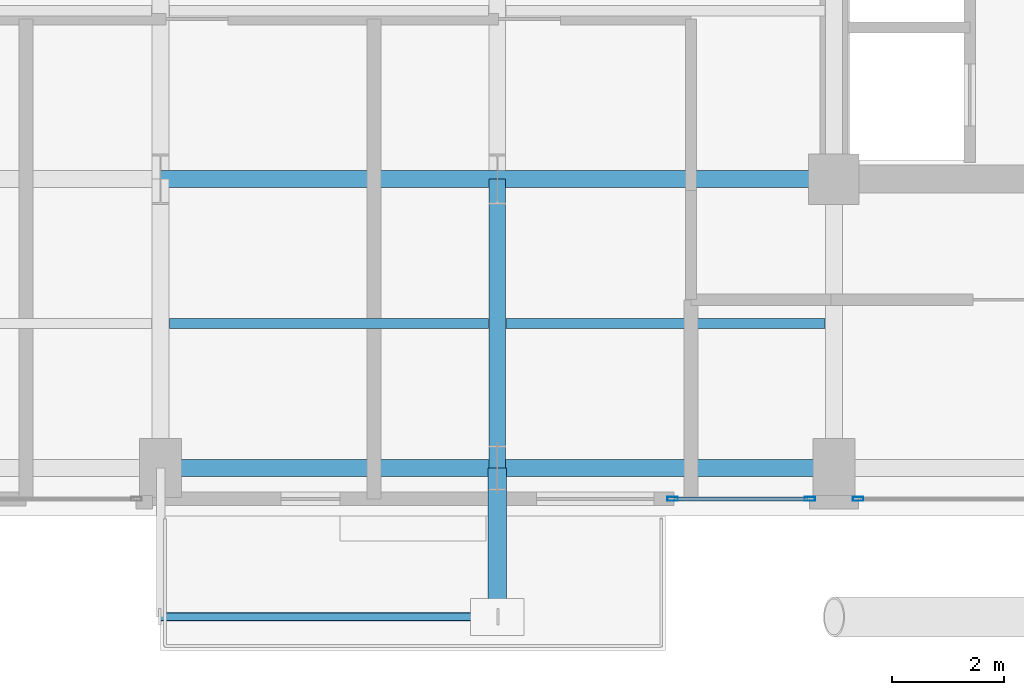
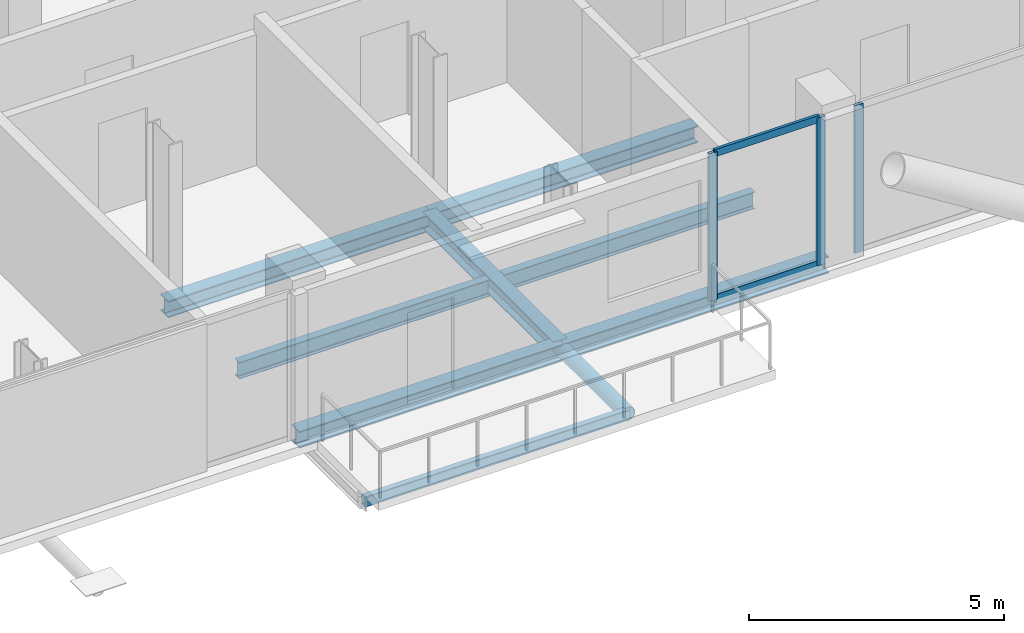
# One storey, part 4 of 21: 8 beams, 6 members, 2 elements without a shape of their own.
"""IFC4 building model written with IfcOpenShell, lengths in metres."""

from ifc_helpers import new_model, si_unit, direction, frame, origin, origin_2d, place, context, subcontext, project, spatial, hollow_rectangle, hollow_circle, i_section, extrude, material, layer, layer_set, material_profile, profile_set, type_object, element, aggregate, save


model = new_model("IFC4")

# Units and contexts
model_context = context("Model", 3, precision=1e-05, world=origin(), true_north=direction((0.0, 1.0)))
body_context = subcontext(model_context, "Body", "Model", "MODEL_VIEW")
ifc_project = project(units=[si_unit("LENGTHUNIT", "METRE"), si_unit("AREAUNIT", "SQUARE_METRE"), si_unit("VOLUMEUNIT", "CUBIC_METRE"), si_unit("PLANEANGLEUNIT", "RADIAN"), si_unit("MASSUNIT", "GRAM", prefix="KILO"), si_unit("THERMODYNAMICTEMPERATUREUNIT", "KELVIN"), si_unit("POWERUNIT", "WATT")], contexts=[model_context])

# Site, building, storey
site_placement = place(None, origin())
site = spatial("IfcSite", under=ifc_project, at=site_placement, CompositionType="ELEMENT")
building_placement = place(site_placement, origin())
building = spatial("IfcBuilding", under=site, at=building_placement, Name="Svarakhadi Broadcast Tower", CompositionType="ELEMENT")
storey_placement = place(building_placement, frame((0.0, 0.0, 187.949951171875)))
storey = spatial("IfcBuildingStorey", under=building, at=storey_placement, Name="L46", CompositionType="ELEMENT", Elevation=187.949951171875)

# Beams
ifc_material_1 = material(Name="Steel S355J2 (IS 2062 E350C)", Category="steel")
ifc_material_profile_1 = material_profile(ifc_material_1, i_section(OverallWidth=0.179931640625, OverallDepth=0.39990234375, WebThickness=0.008544921875, FlangeThickness=0.013427734375, FilletRadius=0.02099609375, at=origin_2d()), Name="NPB 400x180x66")
ifc_profile_set_1 = profile_set([ifc_material_profile_1], Name="Steel S355J2 (IS 2062 E350C)")
beam_type_1 = type_object("IfcBeamType", Name="Beam_NPB400", PredefinedType="BEAM", material=ifc_profile_set_1)
for number, where, z_axis, x_axis, name in (
    (1, (12.159912109375, 3.425048828125, -0.409912109375), (1.0, 0.0, 0.0), (0.0, 1.0, 0.0), "L46 Secondary Composite Beam SB009"),
    (2, (18.159912109375, 3.425048828125, -0.409912109375), (1.0, 0.0, 0.0), (0.0, 1.0, 0.0), "L46 Secondary Composite Beam SB013"),
):
    element("IfcBeam", number, at=place(storey_placement, frame(where, z_axis=z_axis, x_axis=x_axis)), inside=storey, type_object=beam_type_1, Name=name, PredefinedType="BEAM", context=body_context, shape_type="SweptSolid", body=[
        extrude(i_section(OverallWidth=0.179931640625, OverallDepth=0.39990234375, WebThickness=0.008544921875, FlangeThickness=0.013427734375, FilletRadius=0.02099609375, at=origin_2d()), origin(), (0.0, 0.0, 1.0), 5.68017578125),
    ])

# Curtain wall, member
ifc_material_2 = material(Name="Anodised Bronze Aluminium AA 6063-T6", Category="aluminium")
ifc_layer = layer(ifc_material_2, 0.18994140625)
ifc_layer_set = layer_set([ifc_layer], Name="Anodised Bronze Aluminium AA 6063-T6")
curtain_wall_type = type_object("IfcCurtainWallType", Name="CW_Sys_04", PredefinedType="NOTDEFINED", material=ifc_layer_set)
curtain_wall_1_placement = place(storey_placement, origin())
curtain_wall_1 = element("IfcCurtainWall", 3, at=curtain_wall_1_placement, inside=storey, type_object=curtain_wall_type, Name="L46 South Curtain Wall 15 Bay 3", PredefinedType="NOTDEFINED")
ifc_material_profile_2 = material_profile(ifc_material_2, hollow_rectangle(XDim=0.070068359375, YDim=0.18994140625, WallThickness=0.005615234375, at=origin_2d()), Name="ALU MULLION 190x70x6")
ifc_profile_set_2 = profile_set([ifc_material_profile_2], Name="Anodised Bronze Aluminium AA 6063-T6")
member_type_1 = type_object("IfcMemberType", Name="CW_Sys_04_Mul", PredefinedType="MULLION", material=ifc_profile_set_2)
member_1_placement = place(storey_placement, frame((24.429931640625, 0.300048828125, 0.0), z_axis=(0.0, 0.0, 1.0), x_axis=(0.0, -1.0, 0.0)))
member_1 = element("IfcMember", 4, at=member_1_placement, type_object=member_type_1, Name="CW-04 mullion 2", PredefinedType="MULLION", context=body_context, shape_type="SweptSolid", body=[
    extrude(hollow_rectangle(XDim=0.070068359375, YDim=0.18994140625, WallThickness=0.005615234375, at=origin_2d()), origin(), (0.0, 0.0, 1.0), 3.5400390625),
])
aggregate(curtain_wall_1, [member_1])

# Curtain wall, members
curtain_wall_2_placement = place(storey_placement, origin())
curtain_wall_2 = element("IfcCurtainWall", 5, at=curtain_wall_2_placement, inside=storey, type_object=curtain_wall_type, Name="L46 South Curtain Wall 15 Bay 4", PredefinedType="NOTDEFINED")
member_2_placement = place(storey_placement, frame((23.570068359375, 0.300048828125, 0.0), z_axis=(0.0, 0.0, 1.0), x_axis=(0.0, -1.0, 0.0)))
member_2 = element("IfcMember", 6, at=member_2_placement, type_object=member_type_1, Name="CW-04 mullion 1", PredefinedType="MULLION", context=body_context, shape_type="SweptSolid", body=[
    extrude(hollow_rectangle(XDim=0.070068359375, YDim=0.18994140625, WallThickness=0.005615234375, at=origin_2d()), origin(), (0.0, 0.0, 1.0), 3.5400390625),
])
member_3_placement = place(storey_placement, frame((21.125, 0.300048828125, 0.0), z_axis=(0.0, 0.0, 1.0), x_axis=(0.0, -1.0, 0.0)))
member_3 = element("IfcMember", 7, at=member_3_placement, type_object=member_type_1, Name="CW-04 mullion 2", PredefinedType="MULLION", context=body_context, shape_type="SweptSolid", body=[
    extrude(hollow_rectangle(XDim=0.070068359375, YDim=0.18994140625, WallThickness=0.005615234375, at=origin_2d()), origin(), (0.0, 0.0, 1.0), 3.5400390625),
])
ifc_material_profile_3 = material_profile(ifc_material_2, hollow_rectangle(XDim=0.06494140625, YDim=0.175048828125, WallThickness=0.0048828125, at=origin_2d()), Name="ALU TRANSOM 175x65x5")
ifc_profile_set_3 = profile_set([ifc_material_profile_3], Name="Anodised Bronze Aluminium AA 6063-T6")
member_type_2 = type_object("IfcMemberType", Name="CW_Sys_04_Trn", PredefinedType="USERDEFINED", material=ifc_profile_set_3)
member_4_placement = place(storey_placement, frame((23.534912109375, 0.300048828125, 0.032470703125), z_axis=(-1.0, 0.0, 0.0), x_axis=(0.0, -1.0, 0.0)))
member_4 = element("IfcMember", 8, at=member_4_placement, type_object=member_type_2, Name="CW-04 transom 1.1", ObjectType="TRANSOM", PredefinedType="USERDEFINED", context=body_context, shape_type="SweptSolid", body=[
    extrude(hollow_rectangle(XDim=0.06494140625, YDim=0.175048828125, WallThickness=0.0048828125, at=origin_2d()), origin(), (0.0, 0.0, 1.0), 2.375),
])
member_5_placement = place(storey_placement, frame((23.534912109375, 0.300048828125, 3.507568359375), z_axis=(-1.0, 0.0, 0.0), x_axis=(0.0, -1.0, 0.0)))
member_5 = element("IfcMember", 9, at=member_5_placement, type_object=member_type_2, Name="CW-04 transom 1.2", ObjectType="TRANSOM", PredefinedType="USERDEFINED", context=body_context, shape_type="SweptSolid", body=[
    extrude(hollow_rectangle(XDim=0.06494140625, YDim=0.175048828125, WallThickness=0.0048828125, at=origin_2d()), origin(), (0.0, 0.0, 1.0), 2.375),
])
aggregate(curtain_wall_2, [member_2, member_3, member_4, member_5])

# Member
ifc_material_3 = material(Name="Steel S460ML (IS 2062 E450BR)", Category="steel")
ifc_material_profile_4 = material_profile(ifc_material_3, hollow_circle(Radius=0.161865234375, WallThickness=0.01611328125, at=origin_2d()), Name="CHS 323.9x16")
ifc_profile_set_4 = profile_set([ifc_material_profile_4], Name="Steel S460ML (IS 2062 E450BR)")
member_type_3 = type_object("IfcMemberType", Name="Exo_Radial_Strut_Z2", PredefinedType="STRUT", material=ifc_profile_set_4)
member_6_placement = place(storey_placement, frame((18.0, -1.800048828125, -0.371826171875), z_axis=(0.0, 1.0, 0.0), x_axis=(-1.0, 0.0, 0.0)))
element("IfcMember", 10, at=member_6_placement, inside=storey, type_object=member_type_3, Name="L46 Exoskeleton Radial Tie Strut S02", PredefinedType="STRUT", context=body_context, shape_type="SweptSolid", body=[
    extrude(hollow_circle(Radius=0.161865234375, WallThickness=0.01611328125, at=origin_2d()), origin(), (0.0, 0.0, 1.0), 2.650146484375),
])

# Beams
ifc_material_profile_5 = material_profile(ifc_material_1, i_section(OverallWidth=0.300048828125, OverallDepth=0.39990234375, WebThickness=0.013427734375, FlangeThickness=0.02392578125, FilletRadius=0.027099609375, at=origin_2d()), Name="WPB 400x300x155")
ifc_profile_set_5 = profile_set([ifc_material_profile_5], Name="Steel S355J2 (IS 2062 E350C)")
beam_type_2 = type_object("IfcBeamType", Name="Girder_WPB400", PredefinedType="USERDEFINED", material=ifc_profile_set_5)
for number, where, z_axis, x_axis, name in (
    (11, (12.0, 0.85009765625, -0.409912109375), (1.0, 0.0, 0.0), (0.0, 1.0, 0.0), "L46 Primary E-W Girder G005"),
    (12, (18.0, 0.85009765625, -0.409912109375), (1.0, 0.0, 0.0), (0.0, 1.0, 0.0), "L46 Primary E-W Girder G006"),
    (13, (12.0, 6.0, -0.409912109375), (1.0, 0.0, 0.0), (0.0, 1.0, 0.0), "L46 Primary E-W Girder G011"),
    (14, (18.0, 6.0, -0.409912109375), (1.0, 0.0, 0.0), (0.0, 1.0, 0.0), "L46 Primary E-W Girder G012"),
):
    element("IfcBeam", number, at=place(storey_placement, frame(where, z_axis=z_axis, x_axis=x_axis)), inside=storey, type_object=beam_type_2, Name=name, ObjectType="GIRDER", PredefinedType="USERDEFINED", context=body_context, shape_type="SweptSolid", body=[
        extrude(i_section(OverallWidth=0.300048828125, OverallDepth=0.39990234375, WebThickness=0.013427734375, FlangeThickness=0.02392578125, FilletRadius=0.027099609375, at=origin_2d()), origin(), (0.0, 0.0, 1.0), 6.0),
    ])
beam_1_placement = place(storey_placement, frame((18.0, 0.85009765625, -0.409912109375), z_axis=(0.0, 1.0, 0.0), x_axis=(-1.0, 0.0, 0.0)))
element("IfcBeam", 15, at=beam_1_placement, inside=storey, type_object=beam_type_2, Name="L46 Primary N-S Girder G046", ObjectType="GIRDER", PredefinedType="USERDEFINED", context=body_context, shape_type="SweptSolid", body=[
    extrude(i_section(OverallWidth=0.300048828125, OverallDepth=0.39990234375, WebThickness=0.013427734375, FlangeThickness=0.02392578125, FilletRadius=0.027099609375, at=origin_2d()), origin(), (0.0, 0.0, 1.0), 5.14990234375),
])
ifc_material_profile_6 = material_profile(ifc_material_3, hollow_rectangle(XDim=0.14990234375, YDim=0.25, WallThickness=0.010009765625, InnerFilletRadius=0.010009765625, OuterFilletRadius=0.02001953125, at=origin_2d()), Name="RHS 250x150x10")
ifc_profile_set_6 = profile_set([ifc_material_profile_6], Name="Steel S460ML (IS 2062 E450BR)")
beam_type_3 = type_object("IfcBeamType", Name="Spandrel_RHS250", PredefinedType="SPANDREL", material=ifc_profile_set_6)
beam_2_placement = place(storey_placement, frame((12.0, -1.800048828125, -0.349853515625), z_axis=(1.0, 0.0, 0.0), x_axis=(0.0, 1.0, 0.0)))
element("IfcBeam", 16, at=beam_2_placement, inside=storey, type_object=beam_type_3, Name="L46 Balcony Outer Spandrel 1F", PredefinedType="SPANDREL", context=body_context, shape_type="SweptSolid", body=[
    extrude(hollow_rectangle(XDim=0.14990234375, YDim=0.25, WallThickness=0.010009765625, InnerFilletRadius=0.010009765625, OuterFilletRadius=0.02001953125, at=origin_2d()), origin(), (0.0, 0.0, 1.0), 6.0),
])

save(model, "model.ifc")
